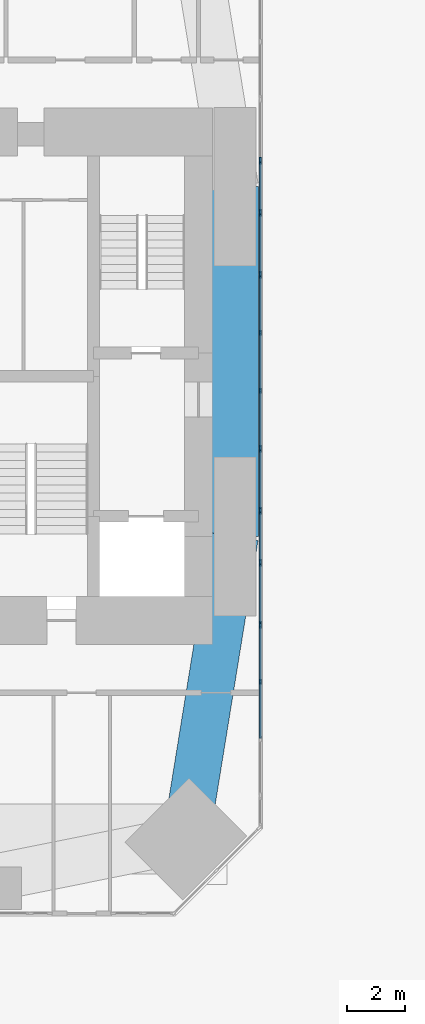
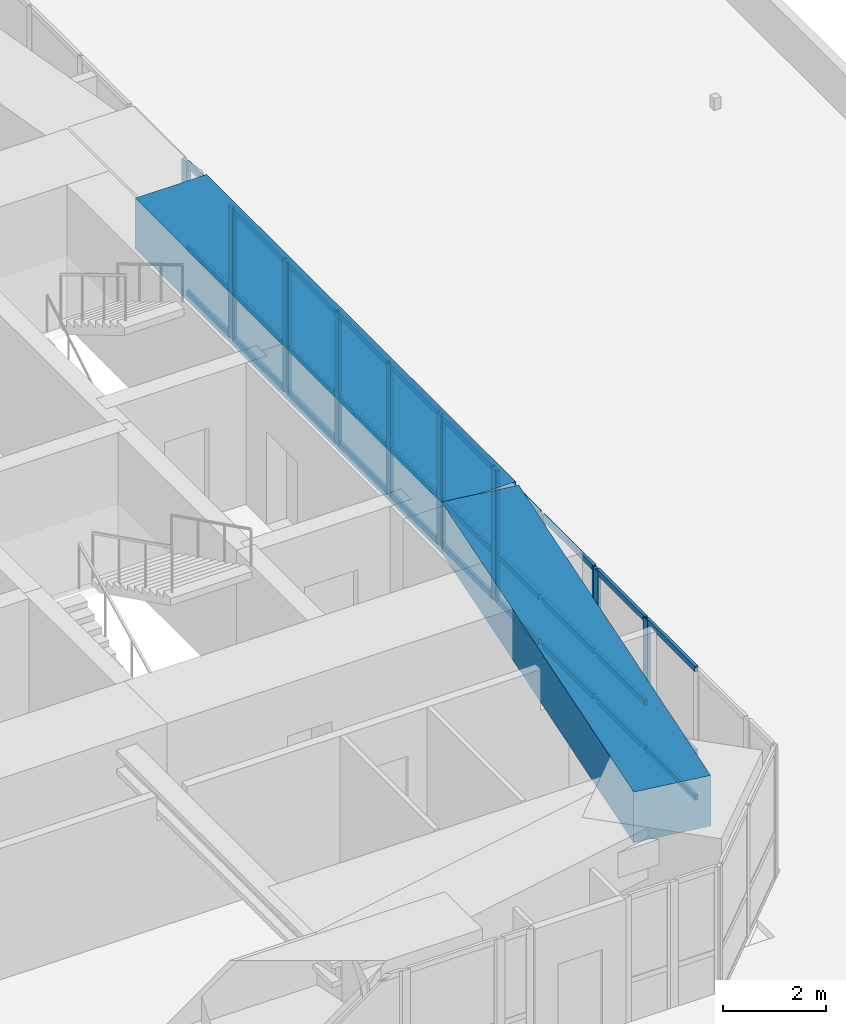
# One storey, part 4 of 20: 47 members, 2 beams, 8 elements without a shape of their own.
"""IFC4 building model written with IfcOpenShell, lengths in metres."""

from ifc_helpers import new_model, si_unit, direction, frame, origin, origin_2d, place, context, subcontext, project, spatial, rectangle, extrude, material, material_profile, profile_set, type_object, element, aggregate, save


model = new_model("IFC4")

# Units and contexts
model_context = context("Model", 3, precision=1e-05, world=origin(), true_north=direction((0.0, 1.0)))
body_context = subcontext(model_context, "Body", "Model", "MODEL_VIEW")
ifc_project = project(units=[si_unit("LENGTHUNIT", "METRE"), si_unit("AREAUNIT", "SQUARE_METRE"), si_unit("VOLUMEUNIT", "CUBIC_METRE"), si_unit("PLANEANGLEUNIT", "RADIAN"), si_unit("MASSUNIT", "GRAM", prefix="KILO")], contexts=[model_context])

# Site, building, storey
site_placement = place(None, origin())
site = spatial("IfcSite", under=ifc_project, at=site_placement, CompositionType="ELEMENT")
building_placement = place(site_placement, origin())
building = spatial("IfcBuilding", under=site, at=building_placement, Name="Jalousie Tower", CompositionType="ELEMENT")
storey_placement = place(building_placement, frame((0.0, 0.0, 21.0)))
storey = spatial("IfcBuildingStorey", under=building, at=storey_placement, Name="L04", CompositionType="ELEMENT", Elevation=21.0)

# Curtain wall, members
ifc_material_1 = material(Name="Aluminium curtain wall", Category="aluminium")
curtain_wall_type_1 = type_object("IfcCurtainWallType", Name="AMENITY SPANDREL WALL", PredefinedType="USERDEFINED", material=ifc_material_1)
curtain_wall_1_placement = place(storey_placement, origin())
curtain_wall_1 = element("IfcCurtainWall", 1, at=curtain_wall_1_placement, inside=storey, type_object=curtain_wall_type_1, Name="Amenity Spandrel Wall L04 23", ObjectType="AMENITY SPANDREL WALL", PredefinedType="USERDEFINED")
ifc_material_2 = material(Name="Aluminium mullion", Category="aluminium")
ifc_material_profile_1 = material_profile(ifc_material_2, rectangle(XDim=0.06494140625, YDim=0.175048828125, at=origin_2d()), Name="MULLION 65x175")
ifc_profile_set_1 = profile_set([ifc_material_profile_1], Name="Aluminium mullion")
member_type_1 = type_object("IfcMemberType", Name="AMENITY SPANDREL WALL MULLION", PredefinedType="MULLION", material=ifc_profile_set_1)
member_1_placement = place(storey_placement, frame((45.91259765625, 10.01806640625, 0.0), z_axis=(0.0, 0.0, 1.0), x_axis=(-1.0, 0.0, 0.0)))
member_1 = element("IfcMember", 2, at=member_1_placement, type_object=member_type_1, Name="CW-AS mullion 1", PredefinedType="MULLION", context=body_context, shape_type="SweptSolid", body=[
    extrude(rectangle(XDim=0.06494140625, YDim=0.175048828125, at=origin_2d()), origin(), (0.0, 0.0, 1.0), 3.110107421875),
])
member_2_placement = place(storey_placement, frame((45.91259765625, 12.072509765625, 0.0), z_axis=(0.0, 0.0, 1.0), x_axis=(-1.0, 0.0, 0.0)))
member_2 = element("IfcMember", 3, at=member_2_placement, type_object=member_type_1, Name="CW-AS mullion 2", PredefinedType="MULLION", context=body_context, shape_type="SweptSolid", body=[
    extrude(rectangle(XDim=0.06494140625, YDim=0.175048828125, at=origin_2d()), origin(), (0.0, 0.0, 1.0), 3.110107421875),
])

curtain_wall_2_placement = place(storey_placement, origin())
curtain_wall_2 = element("IfcCurtainWall", 4, at=curtain_wall_2_placement, inside=storey, type_object=curtain_wall_type_1, Name="Amenity Spandrel Wall L04 25", ObjectType="AMENITY SPANDREL WALL", PredefinedType="USERDEFINED")
member_3_placement = place(storey_placement, frame((45.91259765625, 13.927490234375, 0.0), z_axis=(0.0, 0.0, 1.0), x_axis=(-1.0, 0.0, 0.0)))
member_3 = element("IfcMember", 5, at=member_3_placement, type_object=member_type_1, Name="CW-AS mullion 1", PredefinedType="MULLION", context=body_context, shape_type="SweptSolid", body=[
    extrude(rectangle(XDim=0.06494140625, YDim=0.175048828125, at=origin_2d()), origin(), (0.0, 0.0, 1.0), 3.110107421875),
])
member_4_placement = place(storey_placement, frame((45.91259765625, 15.98193359375, 0.0), z_axis=(0.0, 0.0, 1.0), x_axis=(-1.0, 0.0, 0.0)))
member_4 = element("IfcMember", 6, at=member_4_placement, type_object=member_type_1, Name="CW-AS mullion 2", PredefinedType="MULLION", context=body_context, shape_type="SweptSolid", body=[
    extrude(rectangle(XDim=0.06494140625, YDim=0.175048828125, at=origin_2d()), origin(), (0.0, 0.0, 1.0), 3.110107421875),
])

curtain_wall_3_placement = place(storey_placement, origin())
curtain_wall_3 = element("IfcCurtainWall", 7, at=curtain_wall_3_placement, inside=storey, type_object=curtain_wall_type_1, Name="Amenity Spandrel Wall L04 27", ObjectType="AMENITY SPANDREL WALL", PredefinedType="USERDEFINED")
member_5_placement = place(storey_placement, frame((45.91259765625, 22.01806640625, 0.0), z_axis=(0.0, 0.0, 1.0), x_axis=(-1.0, 0.0, 0.0)))
member_5 = element("IfcMember", 8, at=member_5_placement, type_object=member_type_1, Name="CW-AS mullion 1", PredefinedType="MULLION", context=body_context, shape_type="SweptSolid", body=[
    extrude(rectangle(XDim=0.06494140625, YDim=0.175048828125, at=origin_2d()), origin(), (0.0, 0.0, 1.0), 3.110107421875),
])
member_6_placement = place(storey_placement, frame((45.91259765625, 24.072509765625, 0.0), z_axis=(0.0, 0.0, 1.0), x_axis=(-1.0, 0.0, 0.0)))
member_6 = element("IfcMember", 9, at=member_6_placement, type_object=member_type_1, Name="CW-AS mullion 2", PredefinedType="MULLION", context=body_context, shape_type="SweptSolid", body=[
    extrude(rectangle(XDim=0.06494140625, YDim=0.175048828125, at=origin_2d()), origin(), (0.0, 0.0, 1.0), 3.110107421875),
])

# Curtain wall, member
curtain_wall_4_placement = place(storey_placement, origin())
curtain_wall_4 = element("IfcCurtainWall", 10, at=curtain_wall_4_placement, inside=storey, type_object=curtain_wall_type_1, Name="Amenity Spandrel Wall L04 29", ObjectType="AMENITY SPANDREL WALL", PredefinedType="USERDEFINED")
member_7_placement = place(storey_placement, frame((45.91259765625, 25.927490234375, 0.0), z_axis=(0.0, 0.0, 1.0), x_axis=(-1.0, 0.0, 0.0)))
member_7 = element("IfcMember", 11, at=member_7_placement, type_object=member_type_1, Name="CW-AS mullion 1", PredefinedType="MULLION", context=body_context, shape_type="SweptSolid", body=[
    extrude(rectangle(XDim=0.06494140625, YDim=0.175048828125, at=origin_2d()), origin(), (0.0, 0.0, 1.0), 3.110107421875),
])
aggregate(curtain_wall_4, [member_7])

# Member
ifc_material_3 = material(Name="Aluminium transom", Category="aluminium")
ifc_material_profile_2 = material_profile(ifc_material_3, rectangle(XDim=0.06494140625, YDim=0.1298828125, at=origin_2d()), Name="TRANSOM 65x130")
ifc_profile_set_2 = profile_set([ifc_material_profile_2], Name="Aluminium transom")
member_type_2 = type_object("IfcMemberType", Name="AMENITY SPANDREL WALL TRANSOM", PredefinedType="USERDEFINED", material=ifc_profile_set_2)
member_8_placement = place(storey_placement, frame((45.91259765625, 10.050537109375, 0.032470703125), z_axis=(0.0, 1.0, 0.0), x_axis=(-1.0, 0.0, 0.0)))
member_8 = element("IfcMember", 12, at=member_8_placement, type_object=member_type_2, Name="CW-AS transom 1.1", ObjectType="TRANSOM", PredefinedType="USERDEFINED", context=body_context, shape_type="SweptSolid", body=[
    extrude(rectangle(XDim=0.06494140625, YDim=0.1298828125, at=origin_2d()), origin(), (0.0, 0.0, 1.0), 1.9892578125),
])

member_9_placement = place(storey_placement, frame((45.91259765625, 10.050537109375, 1.10009765625), z_axis=(0.0, 1.0, 0.0), x_axis=(-1.0, 0.0, 0.0)))
member_9 = element("IfcMember", 13, at=member_9_placement, type_object=member_type_2, Name="CW-AS transom 1.2", ObjectType="TRANSOM", PredefinedType="USERDEFINED", context=body_context, shape_type="SweptSolid", body=[
    extrude(rectangle(XDim=0.06494140625, YDim=0.1298828125, at=origin_2d()), origin(), (0.0, 0.0, 1.0), 1.9892578125),
])

member_10_placement = place(storey_placement, frame((45.91259765625, 10.050537109375, 3.077392578125), z_axis=(0.0, 1.0, 0.0), x_axis=(-1.0, 0.0, 0.0)))
member_10 = element("IfcMember", 14, at=member_10_placement, type_object=member_type_2, Name="CW-AS transom 1.3", ObjectType="TRANSOM", PredefinedType="USERDEFINED", context=body_context, shape_type="SweptSolid", body=[
    extrude(rectangle(XDim=0.06494140625, YDim=0.1298828125, at=origin_2d()), origin(), (0.0, 0.0, 1.0), 1.9892578125),
])

aggregate(curtain_wall_1, [member_1, member_2, member_8, member_9, member_10])

member_11_placement = place(storey_placement, frame((45.91259765625, 13.960205078125, 0.032470703125), z_axis=(0.0, 1.0, 0.0), x_axis=(-1.0, 0.0, 0.0)))
member_11 = element("IfcMember", 15, at=member_11_placement, type_object=member_type_2, Name="CW-AS transom 1.1", ObjectType="TRANSOM", PredefinedType="USERDEFINED", context=body_context, shape_type="SweptSolid", body=[
    extrude(rectangle(XDim=0.06494140625, YDim=0.1298828125, at=origin_2d()), origin(), (0.0, 0.0, 1.0), 1.9892578125),
])

member_12_placement = place(storey_placement, frame((45.91259765625, 13.960205078125, 1.10009765625), z_axis=(0.0, 1.0, 0.0), x_axis=(-1.0, 0.0, 0.0)))
member_12 = element("IfcMember", 16, at=member_12_placement, type_object=member_type_2, Name="CW-AS transom 1.2", ObjectType="TRANSOM", PredefinedType="USERDEFINED", context=body_context, shape_type="SweptSolid", body=[
    extrude(rectangle(XDim=0.06494140625, YDim=0.1298828125, at=origin_2d()), origin(), (0.0, 0.0, 1.0), 1.9892578125),
])

member_13_placement = place(storey_placement, frame((45.91259765625, 13.960205078125, 3.077392578125), z_axis=(0.0, 1.0, 0.0), x_axis=(-1.0, 0.0, 0.0)))
member_13 = element("IfcMember", 17, at=member_13_placement, type_object=member_type_2, Name="CW-AS transom 1.3", ObjectType="TRANSOM", PredefinedType="USERDEFINED", context=body_context, shape_type="SweptSolid", body=[
    extrude(rectangle(XDim=0.06494140625, YDim=0.1298828125, at=origin_2d()), origin(), (0.0, 0.0, 1.0), 1.9892578125),
])

aggregate(curtain_wall_2, [member_3, member_4, member_11, member_12, member_13])

member_14_placement = place(storey_placement, frame((45.91259765625, 22.050537109375, 0.032470703125), z_axis=(0.0, 1.0, 0.0), x_axis=(-1.0, 0.0, 0.0)))
member_14 = element("IfcMember", 18, at=member_14_placement, type_object=member_type_2, Name="CW-AS transom 1.1", ObjectType="TRANSOM", PredefinedType="USERDEFINED", context=body_context, shape_type="SweptSolid", body=[
    extrude(rectangle(XDim=0.06494140625, YDim=0.1298828125, at=origin_2d()), origin(), (0.0, 0.0, 1.0), 1.9892578125),
])

member_15_placement = place(storey_placement, frame((45.91259765625, 22.050537109375, 1.10009765625), z_axis=(0.0, 1.0, 0.0), x_axis=(-1.0, 0.0, 0.0)))
member_15 = element("IfcMember", 19, at=member_15_placement, type_object=member_type_2, Name="CW-AS transom 1.2", ObjectType="TRANSOM", PredefinedType="USERDEFINED", context=body_context, shape_type="SweptSolid", body=[
    extrude(rectangle(XDim=0.06494140625, YDim=0.1298828125, at=origin_2d()), origin(), (0.0, 0.0, 1.0), 1.9892578125),
])

member_16_placement = place(storey_placement, frame((45.91259765625, 22.050537109375, 3.077392578125), z_axis=(0.0, 1.0, 0.0), x_axis=(-1.0, 0.0, 0.0)))
member_16 = element("IfcMember", 20, at=member_16_placement, type_object=member_type_2, Name="CW-AS transom 1.3", ObjectType="TRANSOM", PredefinedType="USERDEFINED", context=body_context, shape_type="SweptSolid", body=[
    extrude(rectangle(XDim=0.06494140625, YDim=0.1298828125, at=origin_2d()), origin(), (0.0, 0.0, 1.0), 1.9892578125),
])

aggregate(curtain_wall_3, [member_5, member_6, member_14, member_15, member_16])

# Curtain wall, members
ifc_material_4 = material(Name="Aluminium curtain wall", Category="aluminium")
curtain_wall_type_2 = type_object("IfcCurtainWallType", Name="AMENITY WINDOW WALL", PredefinedType="USERDEFINED", material=ifc_material_4)
curtain_wall_5_placement = place(storey_placement, origin())
curtain_wall_5 = element("IfcCurtainWall", 21, at=curtain_wall_5_placement, inside=storey, type_object=curtain_wall_type_2, Name="Amenity Window Wall L04 22", ObjectType="AMENITY WINDOW WALL", PredefinedType="USERDEFINED")
ifc_material_5 = material(Name="Aluminium mullion", Category="aluminium")
ifc_material_profile_3 = material_profile(ifc_material_5, rectangle(XDim=0.06494140625, YDim=0.175048828125, at=origin_2d()), Name="MULLION 65x175")
ifc_profile_set_3 = profile_set([ifc_material_profile_3], Name="Aluminium mullion")
member_type_3 = type_object("IfcMemberType", Name="AMENITY WINDOW WALL MULLION", PredefinedType="MULLION", material=ifc_profile_set_3)
member_17_placement = place(storey_placement, frame((45.91259765625, 8.025146484375, 0.0), z_axis=(0.0, 0.0, 1.0), x_axis=(-1.0, 0.0, 0.0)))
member_17 = element("IfcMember", 22, at=member_17_placement, type_object=member_type_3, Name="CW-A mullion 3", PredefinedType="MULLION", context=body_context, shape_type="SweptSolid", body=[
    extrude(rectangle(XDim=0.06494140625, YDim=0.175048828125, at=origin_2d()), origin(), (0.0, 0.0, 1.0), 3.110107421875),
])
member_18_placement = place(storey_placement, frame((45.91259765625, 9.952880859375, 0.0), z_axis=(0.0, 0.0, 1.0), x_axis=(-1.0, 0.0, 0.0)))
member_18 = element("IfcMember", 23, at=member_18_placement, type_object=member_type_3, Name="CW-A mullion 4", PredefinedType="MULLION", context=body_context, shape_type="SweptSolid", body=[
    extrude(rectangle(XDim=0.06494140625, YDim=0.175048828125, at=origin_2d()), origin(), (0.0, 0.0, 1.0), 3.110107421875),
])

curtain_wall_6_placement = place(storey_placement, origin())
curtain_wall_6 = element("IfcCurtainWall", 24, at=curtain_wall_6_placement, inside=storey, type_object=curtain_wall_type_2, Name="Amenity Window Wall L04 24", ObjectType="AMENITY WINDOW WALL", PredefinedType="USERDEFINED")
member_19_placement = place(storey_placement, frame((45.91259765625, 12.137451171875, 0.0), z_axis=(0.0, 0.0, 1.0), x_axis=(-1.0, 0.0, 0.0)))
member_19 = element("IfcMember", 25, at=member_19_placement, type_object=member_type_3, Name="CW-A mullion 1", PredefinedType="MULLION", context=body_context, shape_type="SweptSolid", body=[
    extrude(rectangle(XDim=0.06494140625, YDim=0.175048828125, at=origin_2d()), origin(), (0.0, 0.0, 1.0), 3.110107421875),
])
member_20_placement = place(storey_placement, frame((45.91259765625, 13.862548828125, 0.0), z_axis=(0.0, 0.0, 1.0), x_axis=(-1.0, 0.0, 0.0)))
member_20 = element("IfcMember", 26, at=member_20_placement, type_object=member_type_3, Name="CW-A mullion 2", PredefinedType="MULLION", context=body_context, shape_type="SweptSolid", body=[
    extrude(rectangle(XDim=0.06494140625, YDim=0.175048828125, at=origin_2d()), origin(), (0.0, 0.0, 1.0), 3.110107421875),
])

curtain_wall_7_placement = place(storey_placement, origin())
curtain_wall_7 = element("IfcCurtainWall", 27, at=curtain_wall_7_placement, inside=storey, type_object=curtain_wall_type_2, Name="Amenity Window Wall L04 26", ObjectType="AMENITY WINDOW WALL", PredefinedType="USERDEFINED")
member_21_placement = place(storey_placement, frame((45.91259765625, 16.047119140625, 0.0), z_axis=(0.0, 0.0, 1.0), x_axis=(-1.0, 0.0, 0.0)))
member_21 = element("IfcMember", 28, at=member_21_placement, type_object=member_type_3, Name="CW-A mullion 1", PredefinedType="MULLION", context=body_context, shape_type="SweptSolid", body=[
    extrude(rectangle(XDim=0.06494140625, YDim=0.175048828125, at=origin_2d()), origin(), (0.0, 0.0, 1.0), 3.110107421875),
])
member_22_placement = place(storey_placement, frame((45.91259765625, 18.0048828125, 0.0), z_axis=(0.0, 0.0, 1.0), x_axis=(-1.0, 0.0, 0.0)))
member_22 = element("IfcMember", 29, at=member_22_placement, type_object=member_type_3, Name="CW-A mullion 2", PredefinedType="MULLION", context=body_context, shape_type="SweptSolid", body=[
    extrude(rectangle(XDim=0.06494140625, YDim=0.175048828125, at=origin_2d()), origin(), (0.0, 0.0, 1.0), 3.110107421875),
])
member_23_placement = place(storey_placement, frame((45.91259765625, 19.9951171875, 0.0), z_axis=(0.0, 0.0, 1.0), x_axis=(-1.0, 0.0, 0.0)))
member_23 = element("IfcMember", 30, at=member_23_placement, type_object=member_type_3, Name="CW-A mullion 3", PredefinedType="MULLION", context=body_context, shape_type="SweptSolid", body=[
    extrude(rectangle(XDim=0.06494140625, YDim=0.175048828125, at=origin_2d()), origin(), (0.0, 0.0, 1.0), 3.110107421875),
])
member_24_placement = place(storey_placement, frame((45.91259765625, 21.952880859375, 0.0), z_axis=(0.0, 0.0, 1.0), x_axis=(-1.0, 0.0, 0.0)))
member_24 = element("IfcMember", 31, at=member_24_placement, type_object=member_type_3, Name="CW-A mullion 4", PredefinedType="MULLION", context=body_context, shape_type="SweptSolid", body=[
    extrude(rectangle(XDim=0.06494140625, YDim=0.175048828125, at=origin_2d()), origin(), (0.0, 0.0, 1.0), 3.110107421875),
])

curtain_wall_8_placement = place(storey_placement, origin())
curtain_wall_8 = element("IfcCurtainWall", 32, at=curtain_wall_8_placement, inside=storey, type_object=curtain_wall_type_2, Name="Amenity Window Wall L04 28", ObjectType="AMENITY WINDOW WALL", PredefinedType="USERDEFINED")
member_25_placement = place(storey_placement, frame((45.91259765625, 24.137451171875, 0.0), z_axis=(0.0, 0.0, 1.0), x_axis=(-1.0, 0.0, 0.0)))
member_25 = element("IfcMember", 33, at=member_25_placement, type_object=member_type_3, Name="CW-A mullion 1", PredefinedType="MULLION", context=body_context, shape_type="SweptSolid", body=[
    extrude(rectangle(XDim=0.06494140625, YDim=0.175048828125, at=origin_2d()), origin(), (0.0, 0.0, 1.0), 3.110107421875),
])
member_26_placement = place(storey_placement, frame((45.91259765625, 25.862548828125, 0.0), z_axis=(0.0, 0.0, 1.0), x_axis=(-1.0, 0.0, 0.0)))
member_26 = element("IfcMember", 34, at=member_26_placement, type_object=member_type_3, Name="CW-A mullion 2", PredefinedType="MULLION", context=body_context, shape_type="SweptSolid", body=[
    extrude(rectangle(XDim=0.06494140625, YDim=0.175048828125, at=origin_2d()), origin(), (0.0, 0.0, 1.0), 3.110107421875),
])

# Member
ifc_material_6 = material(Name="Aluminium transom", Category="aluminium")
ifc_material_profile_4 = material_profile(ifc_material_6, rectangle(XDim=0.06494140625, YDim=0.1298828125, at=origin_2d()), Name="TRANSOM 65x130")
ifc_profile_set_4 = profile_set([ifc_material_profile_4], Name="Aluminium transom")
member_type_4 = type_object("IfcMemberType", Name="AMENITY WINDOW WALL TRANSOM", PredefinedType="USERDEFINED", material=ifc_profile_set_4)
member_27_placement = place(storey_placement, frame((45.91259765625, 6.097412109375, 0.032470703125), z_axis=(0.0, 1.0, 0.0), x_axis=(-1.0, 0.0, 0.0)))
member_27 = element("IfcMember", 35, at=member_27_placement, type_object=member_type_4, Name="CW-A transom 2.1", ObjectType="TRANSOM", PredefinedType="USERDEFINED", context=body_context, shape_type="SweptSolid", body=[
    extrude(rectangle(XDim=0.06494140625, YDim=0.1298828125, at=origin_2d()), origin(), (0.0, 0.0, 1.0), 1.895263671875),
])

member_28_placement = place(storey_placement, frame((45.91259765625, 6.097412109375, 1.10009765625), z_axis=(0.0, 1.0, 0.0), x_axis=(-1.0, 0.0, 0.0)))
member_28 = element("IfcMember", 36, at=member_28_placement, type_object=member_type_4, Name="CW-A transom 2.2", ObjectType="TRANSOM", PredefinedType="USERDEFINED", context=body_context, shape_type="SweptSolid", body=[
    extrude(rectangle(XDim=0.06494140625, YDim=0.1298828125, at=origin_2d()), origin(), (0.0, 0.0, 1.0), 1.895263671875),
])

member_29_placement = place(storey_placement, frame((45.91259765625, 6.097412109375, 3.077392578125), z_axis=(0.0, 1.0, 0.0), x_axis=(-1.0, 0.0, 0.0)))
member_29 = element("IfcMember", 37, at=member_29_placement, type_object=member_type_4, Name="CW-A transom 2.3", ObjectType="TRANSOM", PredefinedType="USERDEFINED", context=body_context, shape_type="SweptSolid", body=[
    extrude(rectangle(XDim=0.06494140625, YDim=0.1298828125, at=origin_2d()), origin(), (0.0, 0.0, 1.0), 1.895263671875),
])

member_30_placement = place(storey_placement, frame((45.91259765625, 8.057861328125, 0.032470703125), z_axis=(0.0, 1.0, 0.0), x_axis=(-1.0, 0.0, 0.0)))
member_30 = element("IfcMember", 38, at=member_30_placement, type_object=member_type_4, Name="CW-A transom 3.1", ObjectType="TRANSOM", PredefinedType="USERDEFINED", context=body_context, shape_type="SweptSolid", body=[
    extrude(rectangle(XDim=0.06494140625, YDim=0.1298828125, at=origin_2d()), origin(), (0.0, 0.0, 1.0), 1.862548828125),
])

member_31_placement = place(storey_placement, frame((45.91259765625, 8.057861328125, 1.10009765625), z_axis=(0.0, 1.0, 0.0), x_axis=(-1.0, 0.0, 0.0)))
member_31 = element("IfcMember", 39, at=member_31_placement, type_object=member_type_4, Name="CW-A transom 3.2", ObjectType="TRANSOM", PredefinedType="USERDEFINED", context=body_context, shape_type="SweptSolid", body=[
    extrude(rectangle(XDim=0.06494140625, YDim=0.1298828125, at=origin_2d()), origin(), (0.0, 0.0, 1.0), 1.862548828125),
])

member_32_placement = place(storey_placement, frame((45.91259765625, 8.057861328125, 3.077392578125), z_axis=(0.0, 1.0, 0.0), x_axis=(-1.0, 0.0, 0.0)))
member_32 = element("IfcMember", 40, at=member_32_placement, type_object=member_type_4, Name="CW-A transom 3.3", ObjectType="TRANSOM", PredefinedType="USERDEFINED", context=body_context, shape_type="SweptSolid", body=[
    extrude(rectangle(XDim=0.06494140625, YDim=0.1298828125, at=origin_2d()), origin(), (0.0, 0.0, 1.0), 1.862548828125),
])

aggregate(curtain_wall_5, [member_17, member_18, member_27, member_28, member_29, member_30, member_31, member_32])

member_33_placement = place(storey_placement, frame((45.91259765625, 12.169921875, 0.032470703125), z_axis=(0.0, 1.0, 0.0), x_axis=(-1.0, 0.0, 0.0)))
member_33 = element("IfcMember", 41, at=member_33_placement, type_object=member_type_4, Name="CW-A transom 1.1", ObjectType="TRANSOM", PredefinedType="USERDEFINED", context=body_context, shape_type="SweptSolid", body=[
    extrude(rectangle(XDim=0.06494140625, YDim=0.1298828125, at=origin_2d()), origin(), (0.0, 0.0, 1.0), 1.66015625),
])

member_34_placement = place(storey_placement, frame((45.91259765625, 12.169921875, 1.10009765625), z_axis=(0.0, 1.0, 0.0), x_axis=(-1.0, 0.0, 0.0)))
member_34 = element("IfcMember", 42, at=member_34_placement, type_object=member_type_4, Name="CW-A transom 1.2", ObjectType="TRANSOM", PredefinedType="USERDEFINED", context=body_context, shape_type="SweptSolid", body=[
    extrude(rectangle(XDim=0.06494140625, YDim=0.1298828125, at=origin_2d()), origin(), (0.0, 0.0, 1.0), 1.66015625),
])

member_35_placement = place(storey_placement, frame((45.91259765625, 12.169921875, 3.077392578125), z_axis=(0.0, 1.0, 0.0), x_axis=(-1.0, 0.0, 0.0)))
member_35 = element("IfcMember", 43, at=member_35_placement, type_object=member_type_4, Name="CW-A transom 1.3", ObjectType="TRANSOM", PredefinedType="USERDEFINED", context=body_context, shape_type="SweptSolid", body=[
    extrude(rectangle(XDim=0.06494140625, YDim=0.1298828125, at=origin_2d()), origin(), (0.0, 0.0, 1.0), 1.66015625),
])

aggregate(curtain_wall_6, [member_19, member_20, member_33, member_34, member_35])

member_36_placement = place(storey_placement, frame((45.91259765625, 16.07958984375, 0.032470703125), z_axis=(0.0, 1.0, 0.0), x_axis=(-1.0, 0.0, 0.0)))
member_36 = element("IfcMember", 44, at=member_36_placement, type_object=member_type_4, Name="CW-A transom 1.1", ObjectType="TRANSOM", PredefinedType="USERDEFINED", context=body_context, shape_type="SweptSolid", body=[
    extrude(rectangle(XDim=0.06494140625, YDim=0.1298828125, at=origin_2d()), origin(), (0.0, 0.0, 1.0), 1.892822265625),
])

member_37_placement = place(storey_placement, frame((45.91259765625, 16.07958984375, 1.10009765625), z_axis=(0.0, 1.0, 0.0), x_axis=(-1.0, 0.0, 0.0)))
member_37 = element("IfcMember", 45, at=member_37_placement, type_object=member_type_4, Name="CW-A transom 1.2", ObjectType="TRANSOM", PredefinedType="USERDEFINED", context=body_context, shape_type="SweptSolid", body=[
    extrude(rectangle(XDim=0.06494140625, YDim=0.1298828125, at=origin_2d()), origin(), (0.0, 0.0, 1.0), 1.892822265625),
])

member_38_placement = place(storey_placement, frame((45.91259765625, 16.07958984375, 3.077392578125), z_axis=(0.0, 1.0, 0.0), x_axis=(-1.0, 0.0, 0.0)))
member_38 = element("IfcMember", 46, at=member_38_placement, type_object=member_type_4, Name="CW-A transom 1.3", ObjectType="TRANSOM", PredefinedType="USERDEFINED", context=body_context, shape_type="SweptSolid", body=[
    extrude(rectangle(XDim=0.06494140625, YDim=0.1298828125, at=origin_2d()), origin(), (0.0, 0.0, 1.0), 1.892822265625),
])

member_39_placement = place(storey_placement, frame((45.91259765625, 18.037353515625, 0.032470703125), z_axis=(0.0, 1.0, 0.0), x_axis=(-1.0, 0.0, 0.0)))
member_39 = element("IfcMember", 47, at=member_39_placement, type_object=member_type_4, Name="CW-A transom 2.1", ObjectType="TRANSOM", PredefinedType="USERDEFINED", context=body_context, shape_type="SweptSolid", body=[
    extrude(rectangle(XDim=0.06494140625, YDim=0.1298828125, at=origin_2d()), origin(), (0.0, 0.0, 1.0), 1.92529296875),
])

member_40_placement = place(storey_placement, frame((45.91259765625, 18.037353515625, 1.10009765625), z_axis=(0.0, 1.0, 0.0), x_axis=(-1.0, 0.0, 0.0)))
member_40 = element("IfcMember", 48, at=member_40_placement, type_object=member_type_4, Name="CW-A transom 2.2", ObjectType="TRANSOM", PredefinedType="USERDEFINED", context=body_context, shape_type="SweptSolid", body=[
    extrude(rectangle(XDim=0.06494140625, YDim=0.1298828125, at=origin_2d()), origin(), (0.0, 0.0, 1.0), 1.92529296875),
])

member_41_placement = place(storey_placement, frame((45.91259765625, 18.037353515625, 3.077392578125), z_axis=(0.0, 1.0, 0.0), x_axis=(-1.0, 0.0, 0.0)))
member_41 = element("IfcMember", 49, at=member_41_placement, type_object=member_type_4, Name="CW-A transom 2.3", ObjectType="TRANSOM", PredefinedType="USERDEFINED", context=body_context, shape_type="SweptSolid", body=[
    extrude(rectangle(XDim=0.06494140625, YDim=0.1298828125, at=origin_2d()), origin(), (0.0, 0.0, 1.0), 1.92529296875),
])

member_42_placement = place(storey_placement, frame((45.91259765625, 20.027587890625, 0.032470703125), z_axis=(0.0, 1.0, 0.0), x_axis=(-1.0, 0.0, 0.0)))
member_42 = element("IfcMember", 50, at=member_42_placement, type_object=member_type_4, Name="CW-A transom 3.1", ObjectType="TRANSOM", PredefinedType="USERDEFINED", context=body_context, shape_type="SweptSolid", body=[
    extrude(rectangle(XDim=0.06494140625, YDim=0.1298828125, at=origin_2d()), origin(), (0.0, 0.0, 1.0), 1.892822265625),
])

member_43_placement = place(storey_placement, frame((45.91259765625, 20.027587890625, 1.10009765625), z_axis=(0.0, 1.0, 0.0), x_axis=(-1.0, 0.0, 0.0)))
member_43 = element("IfcMember", 51, at=member_43_placement, type_object=member_type_4, Name="CW-A transom 3.2", ObjectType="TRANSOM", PredefinedType="USERDEFINED", context=body_context, shape_type="SweptSolid", body=[
    extrude(rectangle(XDim=0.06494140625, YDim=0.1298828125, at=origin_2d()), origin(), (0.0, 0.0, 1.0), 1.892822265625),
])

member_44_placement = place(storey_placement, frame((45.91259765625, 20.027587890625, 3.077392578125), z_axis=(0.0, 1.0, 0.0), x_axis=(-1.0, 0.0, 0.0)))
member_44 = element("IfcMember", 52, at=member_44_placement, type_object=member_type_4, Name="CW-A transom 3.3", ObjectType="TRANSOM", PredefinedType="USERDEFINED", context=body_context, shape_type="SweptSolid", body=[
    extrude(rectangle(XDim=0.06494140625, YDim=0.1298828125, at=origin_2d()), origin(), (0.0, 0.0, 1.0), 1.892822265625),
])

aggregate(curtain_wall_7, [member_21, member_22, member_23, member_24, member_36, member_37, member_38, member_39, member_40, member_41, member_42, member_43, member_44])

member_45_placement = place(storey_placement, frame((45.91259765625, 24.169921875, 0.032470703125), z_axis=(0.0, 1.0, 0.0), x_axis=(-1.0, 0.0, 0.0)))
member_45 = element("IfcMember", 53, at=member_45_placement, type_object=member_type_4, Name="CW-A transom 1.1", ObjectType="TRANSOM", PredefinedType="USERDEFINED", context=body_context, shape_type="SweptSolid", body=[
    extrude(rectangle(XDim=0.06494140625, YDim=0.1298828125, at=origin_2d()), origin(), (0.0, 0.0, 1.0), 1.66015625),
])

member_46_placement = place(storey_placement, frame((45.91259765625, 24.169921875, 1.10009765625), z_axis=(0.0, 1.0, 0.0), x_axis=(-1.0, 0.0, 0.0)))
member_46 = element("IfcMember", 54, at=member_46_placement, type_object=member_type_4, Name="CW-A transom 1.2", ObjectType="TRANSOM", PredefinedType="USERDEFINED", context=body_context, shape_type="SweptSolid", body=[
    extrude(rectangle(XDim=0.06494140625, YDim=0.1298828125, at=origin_2d()), origin(), (0.0, 0.0, 1.0), 1.66015625),
])

member_47_placement = place(storey_placement, frame((45.91259765625, 24.169921875, 3.077392578125), z_axis=(0.0, 1.0, 0.0), x_axis=(-1.0, 0.0, 0.0)))
member_47 = element("IfcMember", 55, at=member_47_placement, type_object=member_type_4, Name="CW-A transom 1.3", ObjectType="TRANSOM", PredefinedType="USERDEFINED", context=body_context, shape_type="SweptSolid", body=[
    extrude(rectangle(XDim=0.06494140625, YDim=0.1298828125, at=origin_2d()), origin(), (0.0, 0.0, 1.0), 1.66015625),
])

aggregate(curtain_wall_8, [member_25, member_26, member_45, member_46, member_47])

# Beams
ifc_material_7 = material(Name="Concrete f'c 40 MPa", Category="concrete")
ifc_material_profile_5 = material_profile(ifc_material_7, rectangle(XDim=1.60009765625, YDim=1.199951171875, at=origin_2d()), Name="RC 1600x1200")
ifc_profile_set_5 = profile_set([ifc_material_profile_5], Name="Concrete f'c 40 MPa")
beam_type = type_object("IfcBeamType", Name="RC BEAM 1600x1200", PredefinedType="BEAM", material=ifc_profile_set_5)
beam_1_placement = place(storey_placement, frame((43.36865234375, 2.63134765625, 2.75), z_axis=(0.160070546476, 0.987105577003, 0.0), x_axis=(-0.987105577003, 0.160070546476, 0.0)))
element("IfcBeam", 56, at=beam_1_placement, inside=storey, type_object=beam_type, Name="Edge band beam 05-06 under L05", PredefinedType="BEAM", context=body_context, shape_type="SweptSolid", body=[
    extrude(rectangle(XDim=1.60009765625, YDim=1.199951171875, at=origin_2d()), origin(), (0.0, 0.0, 1.0), 10.504150390625),
])
beam_2_placement = place(storey_placement, frame((45.050048828125, 13.0, 2.75), z_axis=(0.0, 1.0, 0.0), x_axis=(-1.0, 0.0, 0.0)))
element("IfcBeam", 57, at=beam_2_placement, inside=storey, type_object=beam_type, Name="Edge band beam 06-07 under L05", PredefinedType="BEAM", context=body_context, shape_type="SweptSolid", body=[
    extrude(rectangle(XDim=1.60009765625, YDim=1.199951171875, at=origin_2d()), origin(), (0.0, 0.0, 1.0), 12.0),
])

save(model, "model.ifc")
